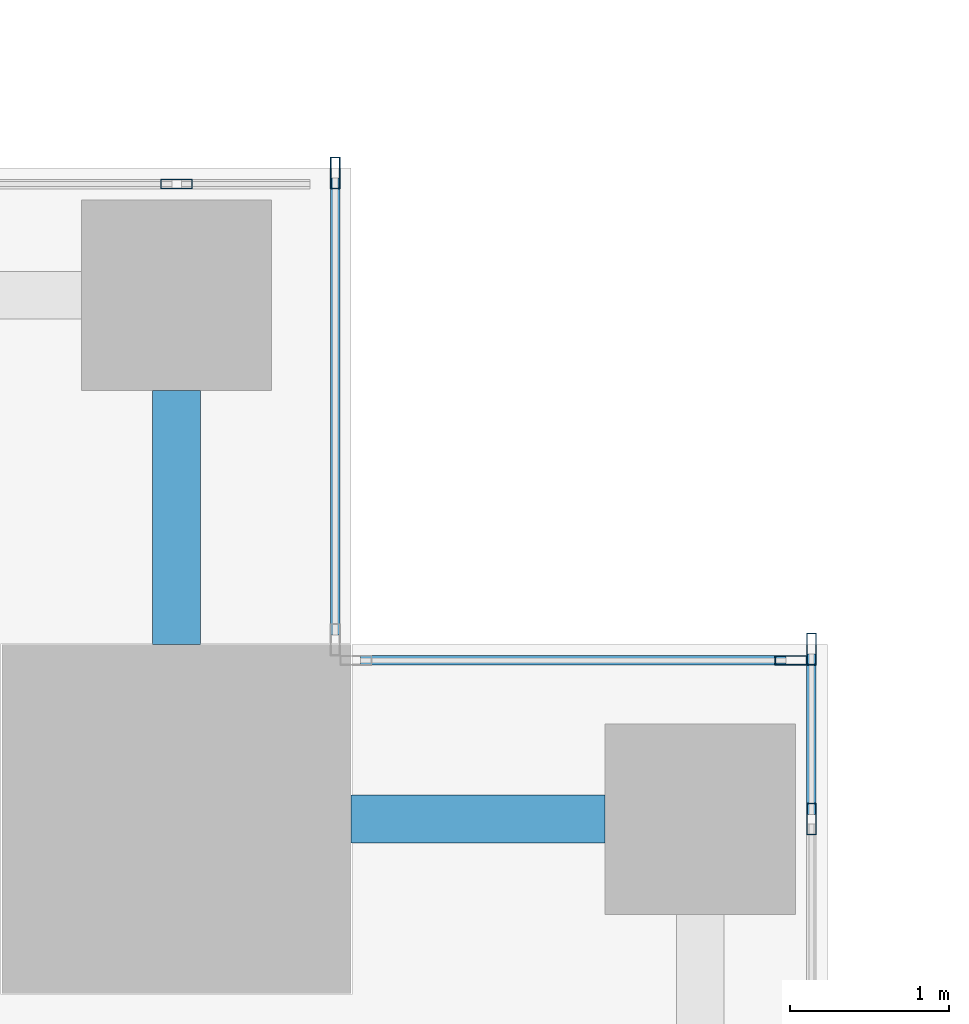
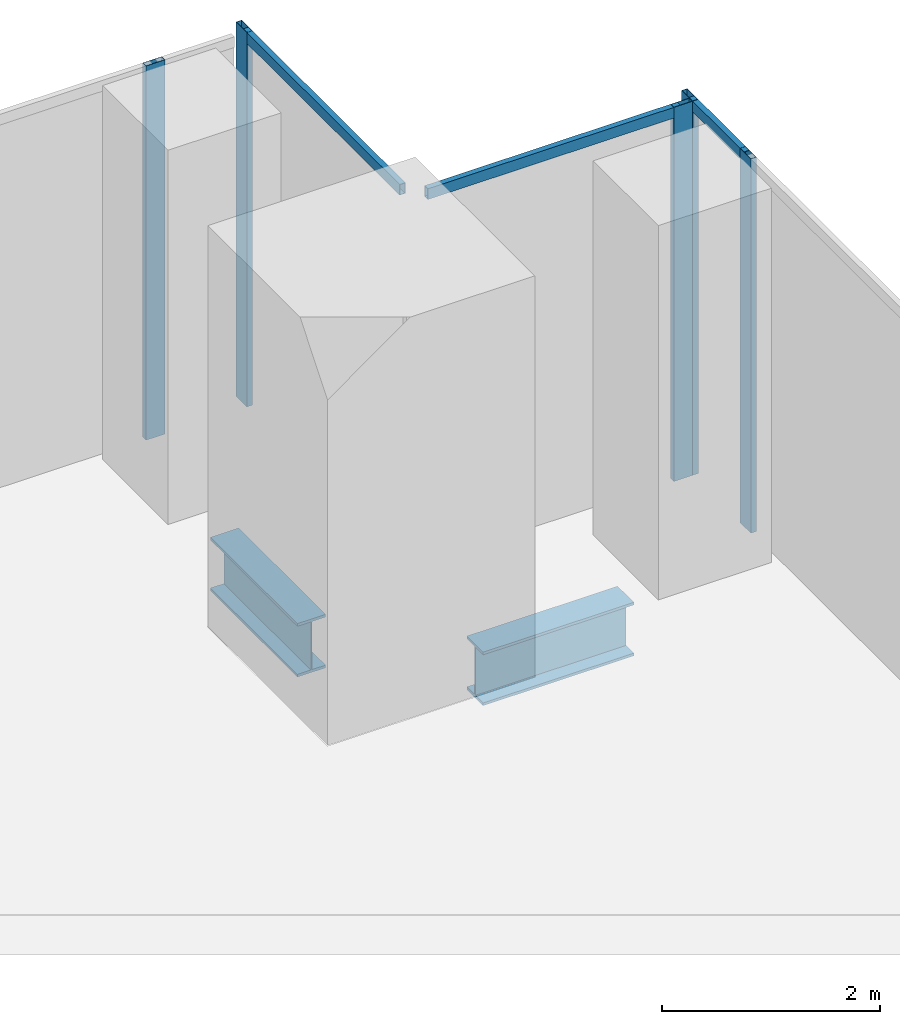
# One storey, part 20 of 33: 8 members, 2 beams, 4 elements without a shape of their own.
"""IFC4 building model written with IfcOpenShell, lengths in metres."""

from ifc_helpers import new_model, si_unit, direction, frame, origin, origin_2d, place, context, subcontext, project, spatial, hollow_rectangle, i_section, extrude, source, transform, mapped, material, material_profile, profile_set, type_object, element, aggregate, save


model = new_model("IFC4")

# Units and contexts
model_context = context("Model", 3, precision=1e-05, world=origin(), true_north=direction((0.0, 1.0)))
body_context = subcontext(model_context, "Body", "Model", "MODEL_VIEW")
ifc_project = project(units=[si_unit("LENGTHUNIT", "METRE"), si_unit("AREAUNIT", "SQUARE_METRE"), si_unit("VOLUMEUNIT", "CUBIC_METRE"), si_unit("PLANEANGLEUNIT", "RADIAN"), si_unit("MASSUNIT", "GRAM", prefix="KILO")], contexts=[model_context])

# Site, building, storey
site_placement = place(None, origin())
site = spatial("IfcSite", under=ifc_project, at=site_placement, CompositionType="ELEMENT")
building_placement = place(site_placement, origin())
building = spatial("IfcBuilding", under=site, at=building_placement, Name="Khomas Fold Tower", CompositionType="ELEMENT")
storey_placement = place(building_placement, frame((0.0, 0.0, 55.5)))
storey = spatial("IfcBuildingStorey", under=building, at=storey_placement, Name="L11", CompositionType="ELEMENT", Elevation=55.5)

# Beams
ifc_material_1 = material(Name="Steel S355", Category="steel")
ifc_material_profile_1 = material_profile(ifc_material_1, i_section(OverallWidth=0.300048828125, OverallDepth=0.60009765625, WebThickness=0.015380859375, FlangeThickness=0.030029296875, at=origin_2d()), Name="HE 600 B")
ifc_profile_set_1 = profile_set([ifc_material_profile_1], Name="Steel S355")
beam_type = type_object("IfcBeamType", Name="HE 600 B spandrel SB1", PredefinedType="SPANDREL", material=ifc_profile_set_1)
shared_shape_1 = source(origin(), body_context, "Body", "SweptSolid", [
    extrude(i_section(OverallWidth=0.300048828125, OverallDepth=0.60009765625, WebThickness=0.015380859375, FlangeThickness=0.030029296875, at=origin_2d()), origin(), (0.0, 0.0, 1.0), 1.60009765625),
])
for number, where, z_axis, x_axis, name in (
    (1, (51.0, 49.89990234375, -0.60009765625), (1.0, 0.0, 0.0), (0.0, 1.0, 0.0), "SB1"),
    (2, (49.89990234375, 51.0, -0.60009765625), (0.0, 1.0, 0.0), (-1.0, 0.0, 0.0), "SB1"),
):
    element("IfcBeam", number, at=place(storey_placement, frame(where, z_axis=z_axis, x_axis=x_axis)), inside=storey, type_object=beam_type, Name=name, PredefinedType="SPANDREL", context=body_context, shape_type="MappedRepresentation", body=[
        mapped(shared_shape_1, transform((0.0, 0.0, 0.0))),
    ])

# Curtain wall, member
ifc_material_2 = material(Name="Aluminium framed double glazing", Category="aluminium")
curtain_wall_type = type_object("IfcCurtainWallType", Name="SK-Unitised clear-glass wall, growing floors CW1", PredefinedType="NOTDEFINED", material=ifc_material_2)
curtain_wall_1_placement = place(storey_placement, origin())
curtain_wall_1 = element("IfcCurtainWall", 3, at=curtain_wall_1_placement, inside=storey, type_object=curtain_wall_type, Name="CW1 run L11 03-0", PredefinedType="NOTDEFINED")
ifc_material_3 = material(Name="Aluminium", Category="aluminium")
ifc_material_profile_2 = material_profile(ifc_material_3, hollow_rectangle(XDim=0.06005859375, YDim=0.1201171875, WallThickness=0.00390625, at=origin_2d()), Name="SK-Unitised clear-glass wall, growing floors transom CW1-T")
ifc_profile_set_2 = profile_set([ifc_material_profile_2], Name="Aluminium")
member_type_1 = type_object("IfcMemberType", Name="SK-Unitised clear-glass wall, growing floors transom CW1-T", PredefinedType="USERDEFINED", material=ifc_profile_set_2)
shared_shape_2 = source(origin(), body_context, "Body", "SweptSolid", [
    extrude(hollow_rectangle(XDim=0.06005859375, YDim=0.1201171875, WallThickness=0.00390625, at=origin_2d()), origin(), (0.0, 0.0, 1.0), 1.010009765625),
])
member_1_placement = place(storey_placement, frame((53.89990234375, 49.929931640625, 4.139892578125), z_axis=(0.0, 1.0, 0.0), x_axis=(-1.0, 0.0, 0.0)))
member_1 = element("IfcMember", 4, at=member_1_placement, type_object=member_type_1, Name="CW1 transom 8", ObjectType="TRANSOM", PredefinedType="USERDEFINED", context=body_context, shape_type="MappedRepresentation", body=[
    mapped(shared_shape_2, transform((0.0, 0.0, 0.0))),
])

curtain_wall_2_placement = place(storey_placement, origin())
curtain_wall_2 = element("IfcCurtainWall", 5, at=curtain_wall_2_placement, inside=storey, type_object=curtain_wall_type, Name="CW1 corner return L11 04", PredefinedType="NOTDEFINED")
shared_shape_3 = source(origin(), body_context, "Body", "SweptSolid", [
    extrude(hollow_rectangle(XDim=0.06005859375, YDim=0.1201171875, WallThickness=0.00390625, at=origin_2d()), origin(), (0.0, 0.0, 1.0), 2.679931640625),
])
member_2_placement = place(storey_placement, frame((53.739990234375, 50.89990234375, 4.139892578125), z_axis=(-1.0, 0.0, 0.0), x_axis=(0.0, -1.0, 0.0)))
member_2 = element("IfcMember", 6, at=member_2_placement, type_object=member_type_1, Name="CW1 transom 1", ObjectType="TRANSOM", PredefinedType="USERDEFINED", context=body_context, shape_type="MappedRepresentation", body=[
    mapped(shared_shape_3, transform((0.0, 0.0, 0.0))),
])

curtain_wall_3_placement = place(storey_placement, origin())
curtain_wall_3 = element("IfcCurtainWall", 7, at=curtain_wall_3_placement, inside=storey, type_object=curtain_wall_type, Name="CW1 corner return L11 05", PredefinedType="NOTDEFINED")
shared_shape_4 = source(origin(), body_context, "Body", "SweptSolid", [
    extrude(hollow_rectangle(XDim=0.06005859375, YDim=0.1201171875, WallThickness=0.00390625, at=origin_2d()), origin(), (0.0, 0.0, 1.0), 2.8798828125),
])
member_3_placement = place(storey_placement, frame((50.89990234375, 51.06005859375, 4.139892578125), z_axis=(0.0, 1.0, 0.0), x_axis=(-1.0, 0.0, 0.0)))
member_3 = element("IfcMember", 8, at=member_3_placement, type_object=member_type_1, Name="CW1 transom 1", ObjectType="TRANSOM", PredefinedType="USERDEFINED", context=body_context, shape_type="MappedRepresentation", body=[
    mapped(shared_shape_4, transform((0.0, 0.0, 0.0))),
])

# Member
ifc_material_4 = material(Name="Aluminium", Category="aluminium")
ifc_material_profile_3 = material_profile(ifc_material_4, hollow_rectangle(XDim=0.06005859375, YDim=0.199951171875, WallThickness=0.00390625, at=origin_2d()), Name="SK-Unitised clear-glass wall, growing floors mullion CW1-M")
ifc_profile_set_3 = profile_set([ifc_material_profile_3], Name="Aluminium")
member_type_2 = type_object("IfcMemberType", Name="SK-Unitised clear-glass wall, growing floors mullion CW1-M", PredefinedType="MULLION", material=ifc_profile_set_3)
shared_shape_5 = source(origin(), body_context, "Body", "SweptSolid", [
    extrude(hollow_rectangle(XDim=0.06005859375, YDim=0.199951171875, WallThickness=0.00390625, at=origin_2d()), origin(), (0.0, 0.0, 1.0), 4.199951171875),
])
member_4_placement = place(storey_placement, frame((53.89990234375, 49.89990234375, 0.0), z_axis=(0.0, 0.0, 1.0), x_axis=(-1.0, 0.0, 0.0)))
member_4 = element("IfcMember", 9, at=member_4_placement, type_object=member_type_2, Name="CW1 mullion 8", PredefinedType="MULLION", context=body_context, shape_type="MappedRepresentation", body=[
    mapped(shared_shape_5, transform((0.0, 0.0, 0.0))),
])

member_5_placement = place(storey_placement, frame((53.89990234375, 50.969970703125, 0.0), z_axis=(0.0, 0.0, 1.0), x_axis=(-1.0, 0.0, 0.0)))
member_5 = element("IfcMember", 10, at=member_5_placement, type_object=member_type_2, Name="CW1 mullion 9", PredefinedType="MULLION", context=body_context, shape_type="MappedRepresentation", body=[
    mapped(shared_shape_5, transform((0.0, 0.0, 0.0))),
])

aggregate(curtain_wall_1, [member_4, member_5, member_1])

member_6_placement = place(storey_placement, frame((53.77001953125, 50.89990234375, 0.0), z_axis=(0.0, 0.0, 1.0), x_axis=(0.0, -1.0, 0.0)))
member_6 = element("IfcMember", 11, at=member_6_placement, type_object=member_type_2, Name="CW1 mullion 1", PredefinedType="MULLION", context=body_context, shape_type="MappedRepresentation", body=[
    mapped(shared_shape_5, transform((0.0, 0.0, 0.0))),
])

aggregate(curtain_wall_2, [member_6, member_2])

member_7_placement = place(storey_placement, frame((50.89990234375, 53.969970703125, 0.0), z_axis=(0.0, 0.0, 1.0), x_axis=(-1.0, 0.0, 0.0)))
member_7 = element("IfcMember", 12, at=member_7_placement, type_object=member_type_2, Name="CW1 mullion 2", PredefinedType="MULLION", context=body_context, shape_type="MappedRepresentation", body=[
    mapped(shared_shape_5, transform((0.0, 0.0, 0.0))),
])

aggregate(curtain_wall_3, [member_7, member_3])

# Curtain wall, member
curtain_wall_4_placement = place(storey_placement, origin())
curtain_wall_4 = element("IfcCurtainWall", 13, at=curtain_wall_4_placement, inside=storey, type_object=curtain_wall_type, Name="CW1 run L11 06-0", PredefinedType="NOTDEFINED")
member_8_placement = place(storey_placement, frame((49.89990234375, 53.89990234375, 0.0), z_axis=(0.0, 0.0, 1.0), x_axis=(0.0, -1.0, 0.0)))
member_8 = element("IfcMember", 14, at=member_8_placement, type_object=member_type_2, Name="CW1 mullion 2", PredefinedType="MULLION", context=body_context, shape_type="MappedRepresentation", body=[
    mapped(shared_shape_5, transform((0.0, 0.0, 0.0))),
])
aggregate(curtain_wall_4, [member_8])

save(model, "model.ifc")
